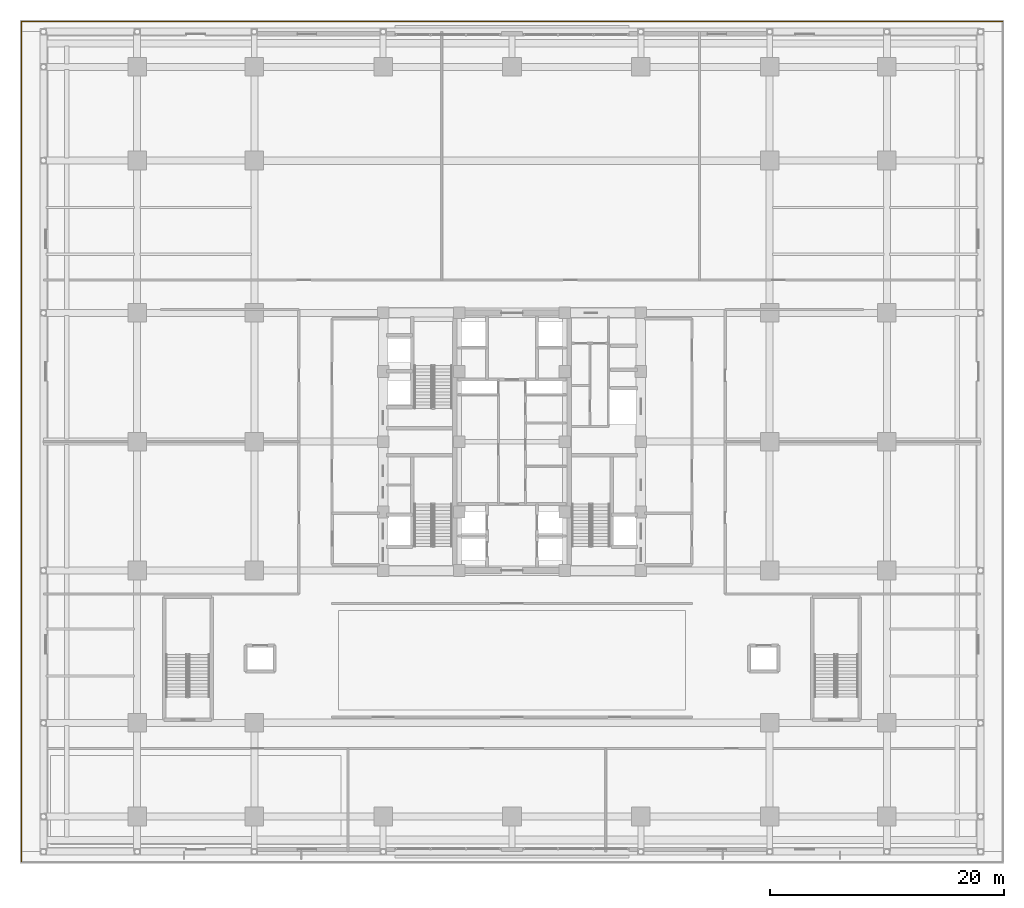
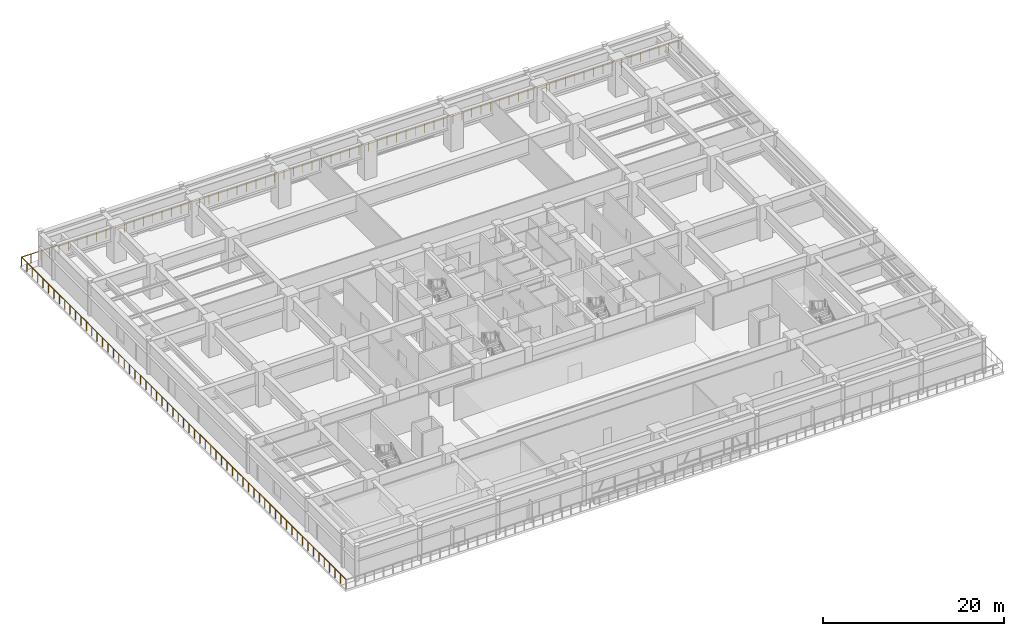
# One storey, part 35 of 38: 1 railing.
"""IFC4 building model written with IfcOpenShell, lengths in metres."""

from ifc_helpers import new_model, si_unit, direction, frame, origin, origin_2d, place, context, subcontext, project, spatial, circle, extrude, source, transform, mapped, material, type_object, element, save


model = new_model("IFC4")

# Units and contexts
model_context = context("Model", 3, precision=1e-05, world=origin(), true_north=direction((0.0, 1.0)))
body_context = subcontext(model_context, "Body", "Model", "MODEL_VIEW")
ifc_project = project(units=[si_unit("LENGTHUNIT", "METRE"), si_unit("AREAUNIT", "SQUARE_METRE"), si_unit("VOLUMEUNIT", "CUBIC_METRE"), si_unit("PLANEANGLEUNIT", "RADIAN"), si_unit("MASSUNIT", "GRAM", prefix="KILO")], contexts=[model_context])

# Site, building, storey
site_placement = place(None, origin())
site = spatial("IfcSite", under=ifc_project, at=site_placement, CompositionType="ELEMENT")
building_placement = place(site_placement, origin())
building = spatial("IfcBuilding", under=site, at=building_placement, Name="Khorayat Bourse Tower", CompositionType="ELEMENT")
storey_placement = place(building_placement, frame((0.0, 0.0, 17.39990234375)))
storey = spatial("IfcBuildingStorey", under=building, at=storey_placement, Name="L03", CompositionType="ELEMENT", Elevation=17.39990234375)

# Railing
ifc_material = material(Name="Laminated glass and bronze balustrade", Category="glass")
railing_type = type_object("IfcRailingType", Name="RLG-TERR-1250", PredefinedType="GUARDRAIL", material=ifc_material)
shared_shape = source(origin(), body_context, "Body", "SweptSolid", [
    extrude(circle(Radius=0.02392578125, at=origin_2d()), frame((0.0, 0.0, 1.22607421875), z_axis=(-1.0, 0.0, 0.0), x_axis=(0.0, -1.0, 0.0)), (0.0, 0.0, 1.0), 83.759765625),
    extrude(circle(Radius=0.02392578125, at=origin_2d()), frame((-83.759765625, 0.0, 1.22607421875), z_axis=(0.0, -1.0, 0.0), x_axis=(1.0, 0.0, 0.0)), (0.0, 0.0, 1.0), 71.699951171875),
    extrude(circle(Radius=0.02099609375, at=origin_2d()), origin(), (0.0, 0.0, 1.0), 1.201904296875),
    extrude(circle(Radius=0.02099609375, at=origin_2d()), frame((-1.196533203125, 0.0, 0.0)), (0.0, 0.0, 1.0), 1.201904296875),
    extrude(circle(Radius=0.02099609375, at=origin_2d()), frame((-2.39306640625, 0.0, 0.0)), (0.0, 0.0, 1.0), 1.201904296875),
    extrude(circle(Radius=0.02099609375, at=origin_2d()), frame((-3.589599609375, 0.0, 0.0)), (0.0, 0.0, 1.0), 1.201904296875),
    extrude(circle(Radius=0.02099609375, at=origin_2d()), frame((-4.786376953125, 0.0, 0.0)), (0.0, 0.0, 1.0), 1.201904296875),
    extrude(circle(Radius=0.02099609375, at=origin_2d()), frame((-5.98291015625, 0.0, 0.0)), (0.0, 0.0, 1.0), 1.201904296875),
    extrude(circle(Radius=0.02099609375, at=origin_2d()), frame((-7.179443359375, 0.0, 0.0)), (0.0, 0.0, 1.0), 1.201904296875),
    extrude(circle(Radius=0.02099609375, at=origin_2d()), frame((-8.3759765625, 0.0, 0.0)), (0.0, 0.0, 1.0), 1.201904296875),
    extrude(circle(Radius=0.02099609375, at=origin_2d()), frame((-9.572509765625, 0.0, 0.0)), (0.0, 0.0, 1.0), 1.201904296875),
    extrude(circle(Radius=0.02099609375, at=origin_2d()), frame((-10.76904296875, 0.0, 0.0)), (0.0, 0.0, 1.0), 1.201904296875),
    extrude(circle(Radius=0.02099609375, at=origin_2d()), frame((-11.965576171875, 0.0, 0.0)), (0.0, 0.0, 1.0), 1.201904296875),
    extrude(circle(Radius=0.02099609375, at=origin_2d()), frame((-13.162353515625, 0.0, 0.0)), (0.0, 0.0, 1.0), 1.201904296875),
    extrude(circle(Radius=0.02099609375, at=origin_2d()), frame((-14.35888671875, 0.0, 0.0)), (0.0, 0.0, 1.0), 1.201904296875),
    extrude(circle(Radius=0.02099609375, at=origin_2d()), frame((-15.555419921875, 0.0, 0.0)), (0.0, 0.0, 1.0), 1.201904296875),
    extrude(circle(Radius=0.02099609375, at=origin_2d()), frame((-16.751953125, 0.0, 0.0)), (0.0, 0.0, 1.0), 1.201904296875),
    extrude(circle(Radius=0.02099609375, at=origin_2d()), frame((-17.948486328125, 0.0, 0.0)), (0.0, 0.0, 1.0), 1.201904296875),
    extrude(circle(Radius=0.02099609375, at=origin_2d()), frame((-19.14501953125, 0.0, 0.0)), (0.0, 0.0, 1.0), 1.201904296875),
    extrude(circle(Radius=0.02099609375, at=origin_2d()), frame((-20.341552734375, 0.0, 0.0)), (0.0, 0.0, 1.0), 1.201904296875),
    extrude(circle(Radius=0.02099609375, at=origin_2d()), frame((-21.538330078125, 0.0, 0.0)), (0.0, 0.0, 1.0), 1.201904296875),
    extrude(circle(Radius=0.02099609375, at=origin_2d()), frame((-22.73486328125, 0.0, 0.0)), (0.0, 0.0, 1.0), 1.201904296875),
    extrude(circle(Radius=0.02099609375, at=origin_2d()), frame((-23.931396484375, 0.0, 0.0)), (0.0, 0.0, 1.0), 1.201904296875),
    extrude(circle(Radius=0.02099609375, at=origin_2d()), frame((-25.1279296875, 0.0, 0.0)), (0.0, 0.0, 1.0), 1.201904296875),
    extrude(circle(Radius=0.02099609375, at=origin_2d()), frame((-26.324462890625, 0.0, 0.0)), (0.0, 0.0, 1.0), 1.201904296875),
    extrude(circle(Radius=0.02099609375, at=origin_2d()), frame((-27.52099609375, 0.0, 0.0)), (0.0, 0.0, 1.0), 1.201904296875),
    extrude(circle(Radius=0.02099609375, at=origin_2d()), frame((-28.717529296875, 0.0, 0.0)), (0.0, 0.0, 1.0), 1.201904296875),
    extrude(circle(Radius=0.02099609375, at=origin_2d()), frame((-29.914306640625, 0.0, 0.0)), (0.0, 0.0, 1.0), 1.201904296875),
    extrude(circle(Radius=0.02099609375, at=origin_2d()), frame((-31.11083984375, 0.0, 0.0)), (0.0, 0.0, 1.0), 1.201904296875),
    extrude(circle(Radius=0.02099609375, at=origin_2d()), frame((-32.307373046875, 0.0, 0.0)), (0.0, 0.0, 1.0), 1.201904296875),
    extrude(circle(Radius=0.02099609375, at=origin_2d()), frame((-33.50390625, 0.0, 0.0)), (0.0, 0.0, 1.0), 1.201904296875),
    extrude(circle(Radius=0.02099609375, at=origin_2d()), frame((-34.700439453125, 0.0, 0.0)), (0.0, 0.0, 1.0), 1.201904296875),
    extrude(circle(Radius=0.02099609375, at=origin_2d()), frame((-35.89697265625, 0.0, 0.0)), (0.0, 0.0, 1.0), 1.201904296875),
    extrude(circle(Radius=0.02099609375, at=origin_2d()), frame((-37.093505859375, 0.0, 0.0)), (0.0, 0.0, 1.0), 1.201904296875),
    extrude(circle(Radius=0.02099609375, at=origin_2d()), frame((-38.290283203125, 0.0, 0.0)), (0.0, 0.0, 1.0), 1.201904296875),
    extrude(circle(Radius=0.02099609375, at=origin_2d()), frame((-39.48681640625, 0.0, 0.0)), (0.0, 0.0, 1.0), 1.201904296875),
    extrude(circle(Radius=0.02099609375, at=origin_2d()), frame((-40.683349609375, 0.0, 0.0)), (0.0, 0.0, 1.0), 1.201904296875),
    extrude(circle(Radius=0.02099609375, at=origin_2d()), frame((-41.8798828125, 0.0, 0.0)), (0.0, 0.0, 1.0), 1.201904296875),
    extrude(circle(Radius=0.02099609375, at=origin_2d()), frame((-43.076416015625, 0.0, 0.0)), (0.0, 0.0, 1.0), 1.201904296875),
    extrude(circle(Radius=0.02099609375, at=origin_2d()), frame((-44.27294921875, 0.0, 0.0)), (0.0, 0.0, 1.0), 1.201904296875),
    extrude(circle(Radius=0.02099609375, at=origin_2d()), frame((-45.469482421875, 0.0, 0.0)), (0.0, 0.0, 1.0), 1.201904296875),
    extrude(circle(Radius=0.02099609375, at=origin_2d()), frame((-46.666259765625, 0.0, 0.0)), (0.0, 0.0, 1.0), 1.201904296875),
    extrude(circle(Radius=0.02099609375, at=origin_2d()), frame((-47.86279296875, 0.0, 0.0)), (0.0, 0.0, 1.0), 1.201904296875),
    extrude(circle(Radius=0.02099609375, at=origin_2d()), frame((-49.059326171875, 0.0, 0.0)), (0.0, 0.0, 1.0), 1.201904296875),
    extrude(circle(Radius=0.02099609375, at=origin_2d()), frame((-50.255859375, 0.0, 0.0)), (0.0, 0.0, 1.0), 1.201904296875),
    extrude(circle(Radius=0.02099609375, at=origin_2d()), frame((-51.452392578125, 0.0, 0.0)), (0.0, 0.0, 1.0), 1.201904296875),
    extrude(circle(Radius=0.02099609375, at=origin_2d()), frame((-52.64892578125, 0.0, 0.0)), (0.0, 0.0, 1.0), 1.201904296875),
    extrude(circle(Radius=0.02099609375, at=origin_2d()), frame((-53.845458984375, 0.0, 0.0)), (0.0, 0.0, 1.0), 1.201904296875),
    extrude(circle(Radius=0.02099609375, at=origin_2d()), frame((-55.042236328125, 0.0, 0.0)), (0.0, 0.0, 1.0), 1.201904296875),
    extrude(circle(Radius=0.02099609375, at=origin_2d()), frame((-56.23876953125, 0.0, 0.0)), (0.0, 0.0, 1.0), 1.201904296875),
    extrude(circle(Radius=0.02099609375, at=origin_2d()), frame((-57.435302734375, 0.0, 0.0)), (0.0, 0.0, 1.0), 1.201904296875),
    extrude(circle(Radius=0.02099609375, at=origin_2d()), frame((-58.6318359375, 0.0, 0.0)), (0.0, 0.0, 1.0), 1.201904296875),
    extrude(circle(Radius=0.02099609375, at=origin_2d()), frame((-59.828369140625, 0.0, 0.0)), (0.0, 0.0, 1.0), 1.201904296875),
    extrude(circle(Radius=0.02099609375, at=origin_2d()), frame((-61.02490234375, 0.0, 0.0)), (0.0, 0.0, 1.0), 1.201904296875),
    extrude(circle(Radius=0.02099609375, at=origin_2d()), frame((-62.221435546875, 0.0, 0.0)), (0.0, 0.0, 1.0), 1.201904296875),
    extrude(circle(Radius=0.02099609375, at=origin_2d()), frame((-63.418212890625, 0.0, 0.0)), (0.0, 0.0, 1.0), 1.201904296875),
    extrude(circle(Radius=0.02099609375, at=origin_2d()), frame((-64.61474609375, 0.0, 0.0)), (0.0, 0.0, 1.0), 1.201904296875),
    extrude(circle(Radius=0.02099609375, at=origin_2d()), frame((-65.811279296875, 0.0, 0.0)), (0.0, 0.0, 1.0), 1.201904296875),
    extrude(circle(Radius=0.02099609375, at=origin_2d()), frame((-67.0078125, 0.0, 0.0)), (0.0, 0.0, 1.0), 1.201904296875),
    extrude(circle(Radius=0.02099609375, at=origin_2d()), frame((-68.204345703125, 0.0, 0.0)), (0.0, 0.0, 1.0), 1.201904296875),
    extrude(circle(Radius=0.02099609375, at=origin_2d()), frame((-69.40087890625, 0.0, 0.0)), (0.0, 0.0, 1.0), 1.201904296875),
    extrude(circle(Radius=0.02099609375, at=origin_2d()), frame((-70.597412109375, 0.0, 0.0)), (0.0, 0.0, 1.0), 1.201904296875),
    extrude(circle(Radius=0.02099609375, at=origin_2d()), frame((-71.794189453125, 0.0, 0.0)), (0.0, 0.0, 1.0), 1.201904296875),
    extrude(circle(Radius=0.02099609375, at=origin_2d()), frame((-72.99072265625, 0.0, 0.0)), (0.0, 0.0, 1.0), 1.201904296875),
    extrude(circle(Radius=0.02099609375, at=origin_2d()), frame((-74.187255859375, 0.0, 0.0)), (0.0, 0.0, 1.0), 1.201904296875),
    extrude(circle(Radius=0.02099609375, at=origin_2d()), frame((-75.3837890625, 0.0, 0.0)), (0.0, 0.0, 1.0), 1.201904296875),
    extrude(circle(Radius=0.02099609375, at=origin_2d()), frame((-76.580322265625, 0.0, 0.0)), (0.0, 0.0, 1.0), 1.201904296875),
    extrude(circle(Radius=0.02099609375, at=origin_2d()), frame((-77.77685546875, 0.0, 0.0)), (0.0, 0.0, 1.0), 1.201904296875),
    extrude(circle(Radius=0.02099609375, at=origin_2d()), frame((-78.973388671875, 0.0, 0.0)), (0.0, 0.0, 1.0), 1.201904296875),
    extrude(circle(Radius=0.02099609375, at=origin_2d()), frame((-80.170166015625, 0.0, 0.0)), (0.0, 0.0, 1.0), 1.201904296875),
    extrude(circle(Radius=0.02099609375, at=origin_2d()), frame((-81.36669921875, 0.0, 0.0)), (0.0, 0.0, 1.0), 1.201904296875),
    extrude(circle(Radius=0.02099609375, at=origin_2d()), frame((-82.563232421875, 0.0, 0.0)), (0.0, 0.0, 1.0), 1.201904296875),
    extrude(circle(Radius=0.02099609375, at=origin_2d()), frame((-83.759765625, 0.0, 0.0)), (0.0, 0.0, 1.0), 1.201904296875),
    extrude(circle(Radius=0.02099609375, at=origin_2d()), frame((-83.759765625, -1.195068359375, 0.0)), (0.0, 0.0, 1.0), 1.201904296875),
    extrude(circle(Radius=0.02099609375, at=origin_2d()), frame((-83.759765625, -2.389892578125, 0.0)), (0.0, 0.0, 1.0), 1.201904296875),
    extrude(circle(Radius=0.02099609375, at=origin_2d()), frame((-83.759765625, -3.5849609375, 0.0)), (0.0, 0.0, 1.0), 1.201904296875),
    extrude(circle(Radius=0.02099609375, at=origin_2d()), frame((-83.759765625, -4.780029296875, 0.0)), (0.0, 0.0, 1.0), 1.201904296875),
    extrude(circle(Radius=0.02099609375, at=origin_2d()), frame((-83.759765625, -5.97509765625, 0.0)), (0.0, 0.0, 1.0), 1.201904296875),
    extrude(circle(Radius=0.02099609375, at=origin_2d()), frame((-83.759765625, -7.169921875, 0.0)), (0.0, 0.0, 1.0), 1.201904296875),
    extrude(circle(Radius=0.02099609375, at=origin_2d()), frame((-83.759765625, -8.364990234375, 0.0)), (0.0, 0.0, 1.0), 1.201904296875),
    extrude(circle(Radius=0.02099609375, at=origin_2d()), frame((-83.759765625, -9.56005859375, 0.0)), (0.0, 0.0, 1.0), 1.201904296875),
    extrude(circle(Radius=0.02099609375, at=origin_2d()), frame((-83.759765625, -10.7548828125, 0.0)), (0.0, 0.0, 1.0), 1.201904296875),
    extrude(circle(Radius=0.02099609375, at=origin_2d()), frame((-83.759765625, -11.949951171875, 0.0)), (0.0, 0.0, 1.0), 1.201904296875),
    extrude(circle(Radius=0.02099609375, at=origin_2d()), frame((-83.759765625, -13.14501953125, 0.0)), (0.0, 0.0, 1.0), 1.201904296875),
    extrude(circle(Radius=0.02099609375, at=origin_2d()), frame((-83.759765625, -14.340087890625, 0.0)), (0.0, 0.0, 1.0), 1.201904296875),
    extrude(circle(Radius=0.02099609375, at=origin_2d()), frame((-83.759765625, -15.534912109375, 0.0)), (0.0, 0.0, 1.0), 1.201904296875),
    extrude(circle(Radius=0.02099609375, at=origin_2d()), frame((-83.759765625, -16.72998046875, 0.0)), (0.0, 0.0, 1.0), 1.201904296875),
    extrude(circle(Radius=0.02099609375, at=origin_2d()), frame((-83.759765625, -17.925048828125, 0.0)), (0.0, 0.0, 1.0), 1.201904296875),
    extrude(circle(Radius=0.02099609375, at=origin_2d()), frame((-83.759765625, -19.119873046875, 0.0)), (0.0, 0.0, 1.0), 1.201904296875),
    extrude(circle(Radius=0.02099609375, at=origin_2d()), frame((-83.759765625, -20.31494140625, 0.0)), (0.0, 0.0, 1.0), 1.201904296875),
    extrude(circle(Radius=0.02099609375, at=origin_2d()), frame((-83.759765625, -21.510009765625, 0.0)), (0.0, 0.0, 1.0), 1.201904296875),
    extrude(circle(Radius=0.02099609375, at=origin_2d()), frame((-83.759765625, -22.705078125, 0.0)), (0.0, 0.0, 1.0), 1.201904296875),
    extrude(circle(Radius=0.02099609375, at=origin_2d()), frame((-83.759765625, -23.89990234375, 0.0)), (0.0, 0.0, 1.0), 1.201904296875),
    extrude(circle(Radius=0.02099609375, at=origin_2d()), frame((-83.759765625, -25.094970703125, 0.0)), (0.0, 0.0, 1.0), 1.201904296875),
    extrude(circle(Radius=0.02099609375, at=origin_2d()), frame((-83.759765625, -26.2900390625, 0.0)), (0.0, 0.0, 1.0), 1.201904296875),
    extrude(circle(Radius=0.02099609375, at=origin_2d()), frame((-83.759765625, -27.48486328125, 0.0)), (0.0, 0.0, 1.0), 1.201904296875),
    extrude(circle(Radius=0.02099609375, at=origin_2d()), frame((-83.759765625, -28.679931640625, 0.0)), (0.0, 0.0, 1.0), 1.201904296875),
    extrude(circle(Radius=0.02099609375, at=origin_2d()), frame((-83.759765625, -29.875, 0.0)), (0.0, 0.0, 1.0), 1.201904296875),
    extrude(circle(Radius=0.02099609375, at=origin_2d()), frame((-83.759765625, -31.070068359375, 0.0)), (0.0, 0.0, 1.0), 1.201904296875),
    extrude(circle(Radius=0.02099609375, at=origin_2d()), frame((-83.759765625, -32.264892578125, 0.0)), (0.0, 0.0, 1.0), 1.201904296875),
    extrude(circle(Radius=0.02099609375, at=origin_2d()), frame((-83.759765625, -33.4599609375, 0.0)), (0.0, 0.0, 1.0), 1.201904296875),
    extrude(circle(Radius=0.02099609375, at=origin_2d()), frame((-83.759765625, -34.655029296875, 0.0)), (0.0, 0.0, 1.0), 1.201904296875),
    extrude(circle(Radius=0.02099609375, at=origin_2d()), frame((-83.759765625, -35.85009765625, 0.0)), (0.0, 0.0, 1.0), 1.201904296875),
    extrude(circle(Radius=0.02099609375, at=origin_2d()), frame((-83.759765625, -37.044921875, 0.0)), (0.0, 0.0, 1.0), 1.201904296875),
    extrude(circle(Radius=0.02099609375, at=origin_2d()), frame((-83.759765625, -38.239990234375, 0.0)), (0.0, 0.0, 1.0), 1.201904296875),
    extrude(circle(Radius=0.02099609375, at=origin_2d()), frame((-83.759765625, -39.43505859375, 0.0)), (0.0, 0.0, 1.0), 1.201904296875),
    extrude(circle(Radius=0.02099609375, at=origin_2d()), frame((-83.759765625, -40.6298828125, 0.0)), (0.0, 0.0, 1.0), 1.201904296875),
    extrude(circle(Radius=0.02099609375, at=origin_2d()), frame((-83.759765625, -41.824951171875, 0.0)), (0.0, 0.0, 1.0), 1.201904296875),
    extrude(circle(Radius=0.02099609375, at=origin_2d()), frame((-83.759765625, -43.02001953125, 0.0)), (0.0, 0.0, 1.0), 1.201904296875),
    extrude(circle(Radius=0.02099609375, at=origin_2d()), frame((-83.759765625, -44.215087890625, 0.0)), (0.0, 0.0, 1.0), 1.201904296875),
    extrude(circle(Radius=0.02099609375, at=origin_2d()), frame((-83.759765625, -45.409912109375, 0.0)), (0.0, 0.0, 1.0), 1.201904296875),
    extrude(circle(Radius=0.02099609375, at=origin_2d()), frame((-83.759765625, -46.60498046875, 0.0)), (0.0, 0.0, 1.0), 1.201904296875),
    extrude(circle(Radius=0.02099609375, at=origin_2d()), frame((-83.759765625, -47.800048828125, 0.0)), (0.0, 0.0, 1.0), 1.201904296875),
    extrude(circle(Radius=0.02099609375, at=origin_2d()), frame((-83.759765625, -48.994873046875, 0.0)), (0.0, 0.0, 1.0), 1.201904296875),
    extrude(circle(Radius=0.02099609375, at=origin_2d()), frame((-83.759765625, -50.18994140625, 0.0)), (0.0, 0.0, 1.0), 1.201904296875),
    extrude(circle(Radius=0.02099609375, at=origin_2d()), frame((-83.759765625, -51.385009765625, 0.0)), (0.0, 0.0, 1.0), 1.201904296875),
    extrude(circle(Radius=0.02099609375, at=origin_2d()), frame((-83.759765625, -52.580078125, 0.0)), (0.0, 0.0, 1.0), 1.201904296875),
    extrude(circle(Radius=0.02099609375, at=origin_2d()), frame((-83.759765625, -53.77490234375, 0.0)), (0.0, 0.0, 1.0), 1.201904296875),
    extrude(circle(Radius=0.02099609375, at=origin_2d()), frame((-83.759765625, -54.969970703125, 0.0)), (0.0, 0.0, 1.0), 1.201904296875),
    extrude(circle(Radius=0.02099609375, at=origin_2d()), frame((-83.759765625, -56.1650390625, 0.0)), (0.0, 0.0, 1.0), 1.201904296875),
    extrude(circle(Radius=0.02099609375, at=origin_2d()), frame((-83.759765625, -57.35986328125, 0.0)), (0.0, 0.0, 1.0), 1.201904296875),
    extrude(circle(Radius=0.02099609375, at=origin_2d()), frame((-83.759765625, -58.554931640625, 0.0)), (0.0, 0.0, 1.0), 1.201904296875),
    extrude(circle(Radius=0.02099609375, at=origin_2d()), frame((-83.759765625, -59.75, 0.0)), (0.0, 0.0, 1.0), 1.201904296875),
    extrude(circle(Radius=0.02099609375, at=origin_2d()), frame((-83.759765625, -60.945068359375, 0.0)), (0.0, 0.0, 1.0), 1.201904296875),
    extrude(circle(Radius=0.02099609375, at=origin_2d()), frame((-83.759765625, -62.139892578125, 0.0)), (0.0, 0.0, 1.0), 1.201904296875),
    extrude(circle(Radius=0.02099609375, at=origin_2d()), frame((-83.759765625, -63.3349609375, 0.0)), (0.0, 0.0, 1.0), 1.201904296875),
    extrude(circle(Radius=0.02099609375, at=origin_2d()), frame((-83.759765625, -64.530029296875, 0.0)), (0.0, 0.0, 1.0), 1.201904296875),
    extrude(circle(Radius=0.02099609375, at=origin_2d()), frame((-83.759765625, -65.724853515625, 0.0)), (0.0, 0.0, 1.0), 1.201904296875),
    extrude(circle(Radius=0.02099609375, at=origin_2d()), frame((-83.759765625, -66.919921875, 0.0)), (0.0, 0.0, 1.0), 1.201904296875),
    extrude(circle(Radius=0.02099609375, at=origin_2d()), frame((-83.759765625, -68.114990234375, 0.0)), (0.0, 0.0, 1.0), 1.201904296875),
    extrude(circle(Radius=0.02099609375, at=origin_2d()), frame((-83.759765625, -69.31005859375, 0.0)), (0.0, 0.0, 1.0), 1.201904296875),
    extrude(circle(Radius=0.02099609375, at=origin_2d()), frame((-83.759765625, -70.5048828125, 0.0)), (0.0, 0.0, 1.0), 1.201904296875),
    extrude(circle(Radius=0.02099609375, at=origin_2d()), frame((-83.759765625, -71.699951171875, 0.0)), (0.0, 0.0, 1.0), 1.201904296875),
])
railing_placement = place(storey_placement, frame((41.8798828125, 35.8798828125, 0.0)))
element("IfcRailing", 1, at=railing_placement, inside=storey, type_object=railing_type, Name="L03 Cascading Terrace Perimeter Guard NW", PredefinedType="GUARDRAIL", context=body_context, shape_type="MappedRepresentation", body=[
    mapped(shared_shape, transform((0.0, 0.0, 0.0), scale=1.0)),
])

save(model, "model.ifc")
